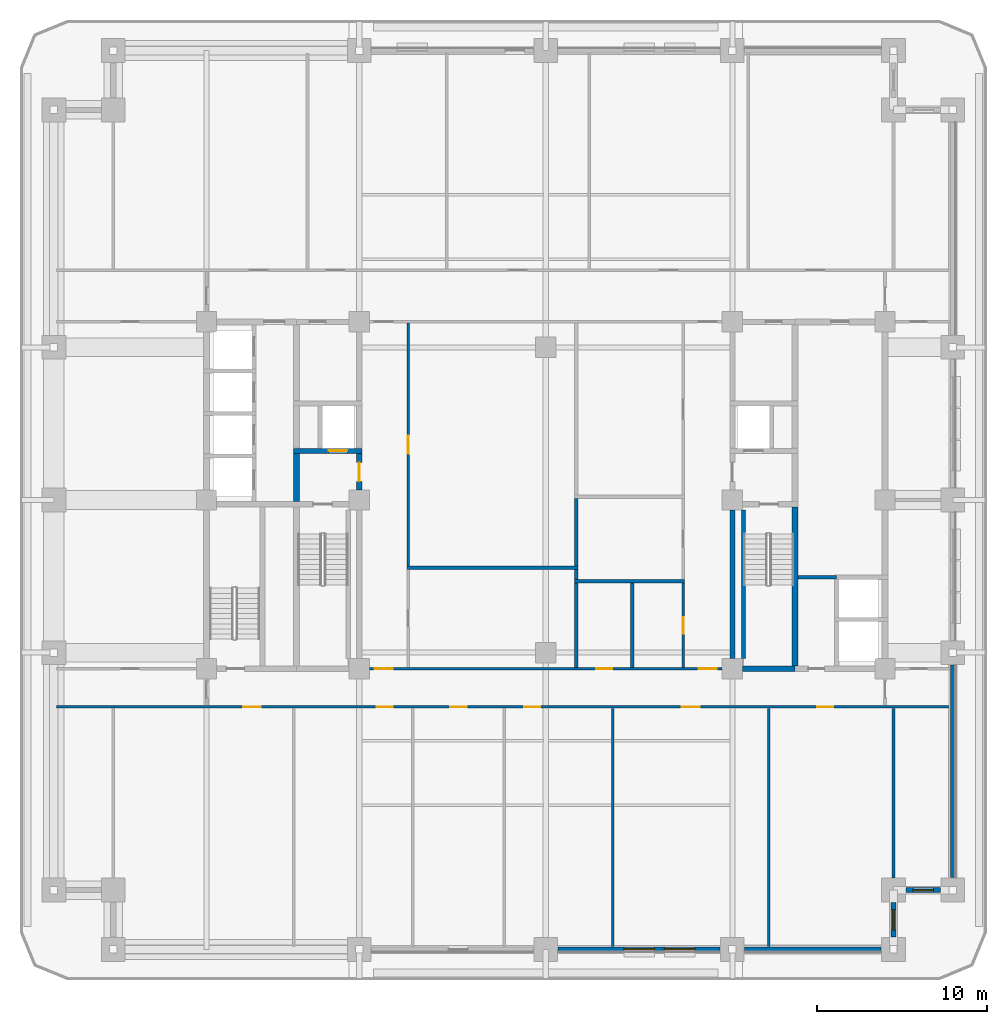
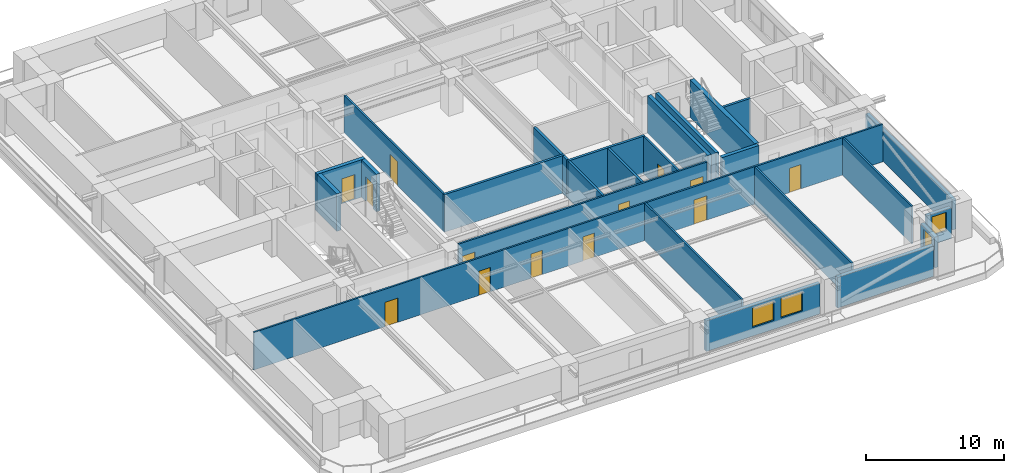
# One storey, part 3 of 14: 26 walls, 13 doors, 4 windows, 17 openings.
"""IFC4 building model written with IfcOpenShell, lengths in metres."""

from ifc_helpers import new_model, si_unit, direction, frame, frame_2d, origin, place, context, subcontext, project, spatial, rectangle, extrude, material, layer, layer_set, type_object, element, fill, save


model = new_model("IFC4")

# Units and contexts
model_context = context("Model", 3, precision=1e-05, world=origin(), true_north=direction((0.0, 1.0)))
body_context = subcontext(model_context, "Body", "Model", "MODEL_VIEW")
ifc_project = project(units=[si_unit("LENGTHUNIT", "METRE"), si_unit("AREAUNIT", "SQUARE_METRE"), si_unit("VOLUMEUNIT", "CUBIC_METRE"), si_unit("PLANEANGLEUNIT", "RADIAN"), si_unit("MASSUNIT", "GRAM", prefix="KILO")], contexts=[model_context])

# Site, building, storey
site_placement = place(None, origin())
site = spatial("IfcSite", under=ifc_project, at=site_placement, CompositionType="ELEMENT")
building_placement = place(site_placement, origin())
building = spatial("IfcBuilding", under=site, at=building_placement, Name="Zulmaris Gate Convention Tower", CompositionType="ELEMENT")
storey_placement = place(building_placement, frame((0.0, 0.0, 60.760009765625)))
storey = spatial("IfcBuildingStorey", under=building, at=storey_placement, Name="L14", CompositionType="ELEMENT", Elevation=60.760009765625)

# Walls
ifc_material_1 = material(Name="Concrete C50/60", Category="concrete")
ifc_layer_1 = layer(ifc_material_1, 0.25, Name="Concrete C50/60")
ifc_layer_set_1 = layer_set([ifc_layer_1], Name="Concrete C50/60")
wall_type_1 = type_object("IfcWallType", Name="CORE-250", PredefinedType="SOLIDWALL", material=ifc_layer_set_1)
wall_1_placement = place(storey_placement, frame((11.64990234375, -9.345947265625, 0.0), z_axis=(0.0, 0.0, 1.0), x_axis=(0.0, 1.0, 0.0)))
element("IfcWall", 1, at=wall_1_placement, inside=storey, type_object=wall_type_1, Name="WL-L14-057", PredefinedType="SOLIDWALL", context=body_context, shape_type="SweptSolid", body=[
    extrude(rectangle(XDim=8.741943359375, YDim=0.25, at=frame_2d((4.37109375, 0.0))), origin(), (0.0, 0.0, 1.0), 3.31982421875),
])
ifc_layer_2 = layer(ifc_material_1, 0.300048828125, Name="Concrete C50/60")
ifc_layer_set_2 = layer_set([ifc_layer_2], Name="Concrete C50/60")
wall_type_2 = type_object("IfcWallType", Name="CORE-300", PredefinedType="SHEAR", material=ifc_layer_set_2)
wall_2_placement = place(storey_placement, frame((11.60400390625, -9.949951171875, 0.0), z_axis=(0.0, 0.0, 1.0), x_axis=(1.0, 0.0, 0.0)))
element("IfcWall", 2, at=wall_2_placement, inside=storey, type_object=wall_type_2, Name="WL-L14-003", PredefinedType="SHEAR", context=body_context, shape_type="SweptSolid", body=[
    extrude(rectangle(XDim=3.095947265625, YDim=0.300048828125, at=frame_2d((1.5478515625, 0.0))), origin(), (0.0, 0.0, 1.0), 3.31982421875),
])

# Wall, opening, door
wall_3_placement = place(storey_placement, frame((-14.875, 2.89990234375, 0.0), z_axis=(0.0, 0.0, 1.0), x_axis=(1.0, 0.0, 0.0)))
wall_3 = element("IfcWall", 3, at=wall_3_placement, inside=storey, type_object=wall_type_2, Name="WL-L14-010", PredefinedType="SHEAR", context=body_context, shape_type="SweptSolid", body=[
    extrude(rectangle(XDim=4.02490234375, YDim=0.300048828125, at=frame_2d((2.012451171875, 0.0))), origin(), (0.0, 0.0, 1.0), 3.31982421875),
])
opening_1_placement = place(wall_3_placement, frame((2.074951171875, 0.0, 0.0)))
opening_1 = element("IfcOpeningElement", 4, at=opening_1_placement, cuts=wall_3, Name="Opening D-06", PredefinedType="OPENING", context=body_context, shape_type="SweptSolid", body=[
    extrude(rectangle(XDim=1.10009765625, YDim=2.199951171875, at=frame_2d((0.550048828125, 1.10009765625))), frame((0.0, 0.16015625, 0.0), z_axis=(0.0, -1.0, 0.0), x_axis=(1.0, 0.0, 0.0)), (0.0, 0.0, 1.0), 0.320068359375),
])
ifc_material_2 = material(Name="Brushed Stainless Steel", Category="steel")
door_type_1 = type_object("IfcDoorType", Name="LD-1100", OperationType="NOTDEFINED", PredefinedType="DOOR", material=ifc_material_2)
door_1_placement = place(opening_1_placement, origin())
door_1 = element("IfcDoor", 5, at=door_1_placement, inside=storey, type_object=door_type_1, Name="L14 Lift Landing Door LF-01 03", OperationType="SLIDING_TO_LEFT", OverallHeight=2.199951171875, OverallWidth=1.10009765625, PredefinedType="DOOR", context=body_context, shape_type="SweptSolid", body=[
    extrude(rectangle(XDim=1.10009765625, YDim=2.199951171875, at=frame_2d((0.550048828125, 1.10009765625))), frame((0.0, 0.02490234375, 0.0), z_axis=(0.0, -1.0, 0.0), x_axis=(1.0, 0.0, 0.0)), (0.0, 0.0, 1.0), 0.050048828125),
])
fill(opening_1, door_1)

wall_4_placement = place(storey_placement, frame((-11.0, 0.60400390625, 0.0), z_axis=(0.0, 0.0, 1.0), x_axis=(0.0, 1.0, 0.0)))
wall_4 = element("IfcWall", 6, at=wall_4_placement, inside=storey, type_object=wall_type_2, Name="WL-L14-050", PredefinedType="SHEAR", context=body_context, shape_type="SweptSolid", body=[
    extrude(rectangle(XDim=2.14404296875, YDim=0.300048828125, at=frame_2d((1.072021484375, 0.0))), origin(), (0.0, 0.0, 1.0), 3.31982421875),
])
opening_2_placement = place(wall_4_placement, frame((0.49609375, 0.0, 0.0)))
opening_2 = element("IfcOpeningElement", 7, at=opening_2_placement, cuts=wall_4, Name="Opening D-08", PredefinedType="OPENING", context=body_context, shape_type="SweptSolid", body=[
    extrude(rectangle(XDim=1.10009765625, YDim=2.14990234375, at=frame_2d((0.550048828125, 1.074951171875))), frame((0.0, 0.16015625, 0.0), z_axis=(0.0, -1.0, 0.0), x_axis=(1.0, 0.0, 0.0)), (0.0, 0.0, 1.0), 0.320068359375),
])
ifc_material_3 = material(Name="Fire-Rated Steel", Category="steel")
door_type_2 = type_object("IfcDoorType", Name="DR-1100-FD", OperationType="NOTDEFINED", PredefinedType="DOOR", material=ifc_material_3)
door_2_placement = place(opening_2_placement, origin())
door_2 = element("IfcDoor", 8, at=door_2_placement, inside=storey, type_object=door_type_2, Name="L14 West Firefighting Lobby Door 02", OperationType="SINGLE_SWING_LEFT", OverallHeight=2.14990234375, OverallWidth=1.10009765625, PredefinedType="DOOR", context=body_context, shape_type="SweptSolid", body=[
    extrude(rectangle(XDim=1.10009765625, YDim=2.14990234375, at=frame_2d((0.550048828125, 1.074951171875))), frame((0.0, 0.02490234375, 0.0), z_axis=(0.0, -1.0, 0.0), x_axis=(1.0, 0.0, 0.0)), (0.0, 0.0, 1.0), 0.050048828125),
])
fill(opening_2, door_2)

# Walls
wall_5_placement = place(storey_placement, frame((11.0, -9.345947265625, 0.0), z_axis=(0.0, 0.0, 1.0), x_axis=(0.0, 1.0, 0.0)))
element("IfcWall", 9, at=wall_5_placement, inside=storey, type_object=wall_type_2, Name="WL-L14-053", PredefinedType="SHEAR", context=body_context, shape_type="SweptSolid", body=[
    extrude(rectangle(XDim=8.741943359375, YDim=0.300048828125, at=frame_2d((4.37109375, 0.0))), origin(), (0.0, 0.0, 1.0), 3.31982421875),
])
ifc_material_4 = material(Name="Concrete C55/67", Category="concrete")
ifc_layer_3 = layer(ifc_material_4, 0.35009765625, Name="Concrete C55/67")
ifc_layer_set_3 = layer_set([ifc_layer_3], Name="Concrete C55/67")
wall_type_3 = type_object("IfcWallType", Name="CORE-350", PredefinedType="SHEAR", material=ifc_layer_set_3)
wall_6_placement = place(storey_placement, frame((-14.699951171875, -0.097900390625, 0.0), z_axis=(0.0, 0.0, 1.0), x_axis=(0.0, 1.0, 0.0)))
element("IfcWall", 10, at=wall_6_placement, inside=storey, type_object=wall_type_3, Name="WL-L14-044", PredefinedType="SHEAR", context=body_context, shape_type="SweptSolid", body=[
    extrude(rectangle(XDim=2.845947265625, YDim=0.35009765625, at=frame_2d((1.4228515625, 0.0))), origin(), (0.0, 0.0, 1.0), 3.31982421875),
])
wall_7_placement = place(storey_placement, frame((14.699951171875, -9.77294921875, 0.0), z_axis=(0.0, 0.0, 1.0), x_axis=(0.0, 1.0, 0.0)))
element("IfcWall", 11, at=wall_7_placement, inside=storey, type_object=wall_type_3, Name="WL-L14-059", PredefinedType="SHEAR", context=body_context, shape_type="SweptSolid", body=[
    extrude(rectangle(XDim=9.370849609375, YDim=0.35009765625, at=frame_2d((4.685546875, 0.0))), origin(), (0.0, 0.0, 1.0), 3.31982421875),
])

# Wall, openings, doors
ifc_material_5 = material(Name="Gypsum Metal Stud Partition")
ifc_layer_4 = layer(ifc_material_5, 0.14990234375, Name="Gypsum Metal Stud Partition")
ifc_layer_set_4 = layer_set([ifc_layer_4], Name="Gypsum Metal Stud Partition")
wall_type_4 = type_object("IfcWallType", Name="PART-150", PredefinedType="PARTITIONING", material=ifc_layer_set_4)
wall_8_placement = place(storey_placement, frame((-28.8349609375, -12.199951171875, 0.0), z_axis=(0.0, 0.0, 1.0), x_axis=(1.0, 0.0, 0.0)))
wall_8 = element("IfcWall", 12, at=wall_8_placement, inside=storey, type_object=wall_type_4, Name="WL-L14-020", PredefinedType="PARTITIONING", context=body_context, shape_type="SweptSolid", body=[
    extrude(rectangle(XDim=52.669921875, YDim=0.14990234375, at=frame_2d((26.3349609375, 0.0))), origin(), (0.0, 0.0, 1.0), 3.31982421875),
])
opening_3_placement = place(wall_8_placement, frame((10.989990234375, 0.0, 0.0)))
opening_3 = element("IfcOpeningElement", 13, at=opening_3_placement, cuts=wall_8, Name="Opening D-09", PredefinedType="OPENING", context=body_context, shape_type="SweptSolid", body=[
    extrude(rectangle(XDim=1.050048828125, YDim=2.14990234375, at=frame_2d((0.52490234375, 1.074951171875))), frame((0.0, 0.0849609375, 0.0), z_axis=(0.0, -1.0, 0.0), x_axis=(1.0, 0.0, 0.0)), (0.0, 0.0, 1.0), 0.169921875),
])
opening_4_placement = place(wall_8_placement, frame((18.860107421875, 0.0, 0.0)))
opening_4 = element("IfcOpeningElement", 14, at=opening_4_placement, cuts=wall_8, Name="Opening D-11", PredefinedType="OPENING", context=body_context, shape_type="SweptSolid", body=[
    extrude(rectangle(XDim=0.949951171875, YDim=2.14990234375, at=frame_2d((0.47509765625, 1.074951171875))), frame((0.0, 0.0849609375, 0.0), z_axis=(0.0, -1.0, 0.0), x_axis=(1.0, 0.0, 0.0)), (0.0, 0.0, 1.0), 0.169921875),
])
opening_5_placement = place(wall_8_placement, frame((23.2099609375, 0.0, 0.0)))
opening_5 = element("IfcOpeningElement", 15, at=opening_5_placement, cuts=wall_8, Name="Opening D-11", PredefinedType="OPENING", context=body_context, shape_type="SweptSolid", body=[
    extrude(rectangle(XDim=0.949951171875, YDim=2.14990234375, at=frame_2d((0.47509765625, 1.074951171875))), frame((0.0, 0.0849609375, 0.0), z_axis=(0.0, -1.0, 0.0), x_axis=(1.0, 0.0, 0.0)), (0.0, 0.0, 1.0), 0.169921875),
])
opening_6_placement = place(wall_8_placement, frame((27.56005859375, 0.0, 0.0)))
opening_6 = element("IfcOpeningElement", 16, at=opening_6_placement, cuts=wall_8, Name="Opening D-11", PredefinedType="OPENING", context=body_context, shape_type="SweptSolid", body=[
    extrude(rectangle(XDim=0.949951171875, YDim=2.14990234375, at=frame_2d((0.47509765625, 1.074951171875))), frame((0.0, 0.0849609375, 0.0), z_axis=(0.0, -1.0, 0.0), x_axis=(1.0, 0.0, 0.0)), (0.0, 0.0, 1.0), 0.169921875),
])
opening_7_placement = place(wall_8_placement, frame((36.860107421875, 0.0, 0.0)))
opening_7 = element("IfcOpeningElement", 17, at=opening_7_placement, cuts=wall_8, Name="Opening D-09", PredefinedType="OPENING", context=body_context, shape_type="SweptSolid", body=[
    extrude(rectangle(XDim=1.050048828125, YDim=2.14990234375, at=frame_2d((0.52490234375, 1.074951171875))), frame((0.0, 0.0849609375, 0.0), z_axis=(0.0, -1.0, 0.0), x_axis=(1.0, 0.0, 0.0)), (0.0, 0.0, 1.0), 0.169921875),
])
opening_8_placement = place(wall_8_placement, frame((44.840087890625, 0.0, 0.0)))
opening_8 = element("IfcOpeningElement", 18, at=opening_8_placement, cuts=wall_8, Name="Opening D-11", PredefinedType="OPENING", context=body_context, shape_type="SweptSolid", body=[
    extrude(rectangle(XDim=0.949951171875, YDim=2.14990234375, at=frame_2d((0.47509765625, 1.074951171875))), frame((0.0, 0.0849609375, 0.0), z_axis=(0.0, -1.0, 0.0), x_axis=(1.0, 0.0, 0.0)), (0.0, 0.0, 1.0), 0.169921875),
])
door_type_3 = type_object("IfcDoorType", Name="DR-1050-FD", OperationType="NOTDEFINED", PredefinedType="DOOR", material=ifc_material_3)
door_3_placement = place(opening_3_placement, origin())
door_3 = element("IfcDoor", 19, at=door_3_placement, inside=storey, type_object=door_type_3, Name="L14 Research Reading Room Door 26", OperationType="SINGLE_SWING_LEFT", OverallHeight=2.14990234375, OverallWidth=1.050048828125, PredefinedType="DOOR", context=body_context, shape_type="SweptSolid", body=[
    extrude(rectangle(XDim=1.050048828125, YDim=2.14990234375, at=frame_2d((0.52490234375, 1.074951171875))), frame((0.0, 0.02490234375, 0.0), z_axis=(0.0, -1.0, 0.0), x_axis=(1.0, 0.0, 0.0)), (0.0, 0.0, 1.0), 0.050048828125),
])
fill(opening_3, door_3)
door_4_placement = place(opening_7_placement, origin())
door_4 = element("IfcDoor", 20, at=door_4_placement, inside=storey, type_object=door_type_3, Name="L14 Research Reading Room Door 30", OperationType="SINGLE_SWING_LEFT", OverallHeight=2.14990234375, OverallWidth=1.050048828125, PredefinedType="DOOR", context=body_context, shape_type="SweptSolid", body=[
    extrude(rectangle(XDim=1.050048828125, YDim=2.14990234375, at=frame_2d((0.52490234375, 1.074951171875))), frame((0.0, 0.02490234375, 0.0), z_axis=(0.0, -1.0, 0.0), x_axis=(1.0, 0.0, 0.0)), (0.0, 0.0, 1.0), 0.050048828125),
])
fill(opening_7, door_4)
ifc_material_6 = material(Name="Fire-Rated Timber", Category="wood")
door_type_4 = type_object("IfcDoorType", Name="DR-950-FD", OperationType="NOTDEFINED", PredefinedType="DOOR", material=ifc_material_6)
door_5_placement = place(opening_4_placement, origin())
door_5 = element("IfcDoor", 21, at=door_5_placement, inside=storey, type_object=door_type_4, Name="L14 Quiet Focus Study Door 27", OperationType="SINGLE_SWING_RIGHT", OverallHeight=2.14990234375, OverallWidth=0.949951171875, PredefinedType="DOOR", context=body_context, shape_type="SweptSolid", body=[
    extrude(rectangle(XDim=0.949951171875, YDim=2.14990234375, at=frame_2d((0.47509765625, 1.074951171875))), frame((0.0, 0.02490234375, 0.0), z_axis=(0.0, -1.0, 0.0), x_axis=(1.0, 0.0, 0.0)), (0.0, 0.0, 1.0), 0.050048828125),
])
fill(opening_4, door_5)
door_6_placement = place(opening_5_placement, origin())
door_6 = element("IfcDoor", 22, at=door_6_placement, inside=storey, type_object=door_type_4, Name="L14 Legal Library Room Door 28", OperationType="SINGLE_SWING_LEFT", OverallHeight=2.14990234375, OverallWidth=0.949951171875, PredefinedType="DOOR", context=body_context, shape_type="SweptSolid", body=[
    extrude(rectangle(XDim=0.949951171875, YDim=2.14990234375, at=frame_2d((0.47509765625, 1.074951171875))), frame((0.0, 0.02490234375, 0.0), z_axis=(0.0, -1.0, 0.0), x_axis=(1.0, 0.0, 0.0)), (0.0, 0.0, 1.0), 0.050048828125),
])
fill(opening_5, door_6)
door_7_placement = place(opening_6_placement, origin())
door_7 = element("IfcDoor", 23, at=door_7_placement, inside=storey, type_object=door_type_4, Name="L14 Editorial Focus Suite Door 29", OperationType="SINGLE_SWING_RIGHT", OverallHeight=2.14990234375, OverallWidth=0.949951171875, PredefinedType="DOOR", context=body_context, shape_type="SweptSolid", body=[
    extrude(rectangle(XDim=0.949951171875, YDim=2.14990234375, at=frame_2d((0.47509765625, 1.074951171875))), frame((0.0, 0.02490234375, 0.0), z_axis=(0.0, -1.0, 0.0), x_axis=(1.0, 0.0, 0.0)), (0.0, 0.0, 1.0), 0.050048828125),
])
fill(opening_6, door_7)
door_8_placement = place(opening_8_placement, origin())
door_8 = element("IfcDoor", 24, at=door_8_placement, inside=storey, type_object=door_type_4, Name="L14 Quiet Focus Study Door 31", OperationType="SINGLE_SWING_RIGHT", OverallHeight=2.14990234375, OverallWidth=0.949951171875, PredefinedType="DOOR", context=body_context, shape_type="SweptSolid", body=[
    extrude(rectangle(XDim=0.949951171875, YDim=2.14990234375, at=frame_2d((0.47509765625, 1.074951171875))), frame((0.0, 0.02490234375, 0.0), z_axis=(0.0, -1.0, 0.0), x_axis=(1.0, 0.0, 0.0)), (0.0, 0.0, 1.0), 0.050048828125),
])
fill(opening_8, door_8)

wall_9_placement = place(storey_placement, frame((-10.39404296875, -9.949951171875, 0.0), z_axis=(0.0, 0.0, 1.0), x_axis=(1.0, 0.0, 0.0)))
wall_9 = element("IfcWall", 25, at=wall_9_placement, inside=storey, type_object=wall_type_4, Name="WL-L14-022", PredefinedType="PARTITIONING", context=body_context, shape_type="SweptSolid", body=[
    extrude(rectangle(XDim=20.7880859375, YDim=0.14990234375, at=frame_2d((10.39404296875, 0.0))), origin(), (0.0, 0.0, 1.0), 3.31982421875),
])
opening_9_placement = place(wall_9_placement, frame((0.319091796875, 0.0, 0.0)))
opening_9 = element("IfcOpeningElement", 26, at=opening_9_placement, cuts=wall_9, Name="Opening D-09", PredefinedType="OPENING", context=body_context, shape_type="SweptSolid", body=[
    extrude(rectangle(XDim=1.050048828125, YDim=2.14990234375, at=frame_2d((0.52490234375, 1.074951171875))), frame((0.0, 0.0849609375, 0.0), z_axis=(0.0, -1.0, 0.0), x_axis=(1.0, 0.0, 0.0)), (0.0, 0.0, 1.0), 0.169921875),
])
opening_10_placement = place(wall_9_placement, frame((19.4189453125, 0.0, 0.0)))
opening_10 = element("IfcOpeningElement", 27, at=opening_10_placement, cuts=wall_9, Name="Opening D-09", PredefinedType="OPENING", context=body_context, shape_type="SweptSolid", body=[
    extrude(rectangle(XDim=1.050048828125, YDim=2.14990234375, at=frame_2d((0.52490234375, 1.074951171875))), frame((0.0, 0.0849609375, 0.0), z_axis=(0.0, -1.0, 0.0), x_axis=(1.0, 0.0, 0.0)), (0.0, 0.0, 1.0), 0.169921875),
])
opening_11_placement = place(wall_9_placement, frame((13.368896484375, 0.0, 0.0)))
opening_11 = element("IfcOpeningElement", 28, at=opening_11_placement, cuts=wall_9, Name="Opening D-11", PredefinedType="OPENING", context=body_context, shape_type="SweptSolid", body=[
    extrude(rectangle(XDim=0.949951171875, YDim=2.14990234375, at=frame_2d((0.47509765625, 1.074951171875))), frame((0.0, 0.0849609375, 0.0), z_axis=(0.0, -1.0, 0.0), x_axis=(1.0, 0.0, 0.0)), (0.0, 0.0, 1.0), 0.169921875),
])
door_9_placement = place(opening_9_placement, origin())
door_9 = element("IfcDoor", 29, at=door_9_placement, inside=storey, type_object=door_type_3, Name="L14 SW Spine Link Door 18", OperationType="SINGLE_SWING_LEFT", OverallHeight=2.14990234375, OverallWidth=1.050048828125, PredefinedType="DOOR", context=body_context, shape_type="SweptSolid", body=[
    extrude(rectangle(XDim=1.050048828125, YDim=2.14990234375, at=frame_2d((0.52490234375, 1.074951171875))), frame((0.0, 0.02490234375, 0.0), z_axis=(0.0, -1.0, 0.0), x_axis=(1.0, 0.0, 0.0)), (0.0, 0.0, 1.0), 0.050048828125),
])
fill(opening_9, door_9)
door_10_placement = place(opening_10_placement, origin())
door_10 = element("IfcDoor", 30, at=door_10_placement, inside=storey, type_object=door_type_3, Name="L14 SE Spine Link Door 20", OperationType="SINGLE_SWING_LEFT", OverallHeight=2.14990234375, OverallWidth=1.050048828125, PredefinedType="DOOR", context=body_context, shape_type="SweptSolid", body=[
    extrude(rectangle(XDim=1.050048828125, YDim=2.14990234375, at=frame_2d((0.52490234375, 1.074951171875))), frame((0.0, 0.02490234375, 0.0), z_axis=(0.0, -1.0, 0.0), x_axis=(1.0, 0.0, 0.0)), (0.0, 0.0, 1.0), 0.050048828125),
])
fill(opening_10, door_10)
door_11_placement = place(opening_11_placement, origin())
door_11 = element("IfcDoor", 31, at=door_11_placement, inside=storey, type_object=door_type_4, Name="L14 Print Room Door 37", OperationType="SINGLE_SWING_RIGHT", OverallHeight=2.14990234375, OverallWidth=0.949951171875, PredefinedType="DOOR", context=body_context, shape_type="SweptSolid", body=[
    extrude(rectangle(XDim=0.949951171875, YDim=2.14990234375, at=frame_2d((0.47509765625, 1.074951171875))), frame((0.0, 0.02490234375, 0.0), z_axis=(0.0, -1.0, 0.0), x_axis=(1.0, 0.0, 0.0)), (0.0, 0.0, 1.0), 0.050048828125),
])
fill(opening_11, door_11)

# Wall, opening, door
wall_10_placement = place(storey_placement, frame((-8.10009765625, -3.89697265625, 0.0), z_axis=(0.0, 0.0, 1.0), x_axis=(0.0, 1.0, 0.0)))
wall_10 = element("IfcWall", 32, at=wall_10_placement, inside=storey, type_object=wall_type_4, Name="WL-L14-075", PredefinedType="PARTITIONING", context=body_context, shape_type="SweptSolid", body=[
    extrude(rectangle(XDim=14.319091796875, YDim=0.14990234375, at=frame_2d((7.15966796875, 0.0))), origin(), (0.0, 0.0, 1.0), 3.31982421875),
])
opening_12_placement = place(wall_10_placement, frame((6.6220703125, 0.0, 0.0)))
opening_12 = element("IfcOpeningElement", 33, at=opening_12_placement, cuts=wall_10, Name="Opening D-09", PredefinedType="OPENING", context=body_context, shape_type="SweptSolid", body=[
    extrude(rectangle(XDim=1.050048828125, YDim=2.14990234375, at=frame_2d((0.52490234375, 1.074951171875))), frame((0.0, 0.0849609375, 0.0), z_axis=(0.0, -1.0, 0.0), x_axis=(1.0, 0.0, 0.0)), (0.0, 0.0, 1.0), 0.169921875),
])
door_12_placement = place(opening_12_placement, origin())
door_12 = element("IfcDoor", 34, at=door_12_placement, inside=storey, type_object=door_type_3, Name="L14 Boardroom Door 32", OperationType="SINGLE_SWING_LEFT", OverallHeight=2.14990234375, OverallWidth=1.050048828125, PredefinedType="DOOR", context=body_context, shape_type="SweptSolid", body=[
    extrude(rectangle(XDim=1.050048828125, YDim=2.14990234375, at=frame_2d((0.52490234375, 1.074951171875))), frame((0.0, 0.02490234375, 0.0), z_axis=(0.0, -1.0, 0.0), x_axis=(1.0, 0.0, 0.0)), (0.0, 0.0, 1.0), 0.050048828125),
])
fill(opening_12, door_12)

# Wall
wall_11_placement = place(storey_placement, frame((3.949951171875, -26.3349609375, 0.0), z_axis=(0.0, 0.0, 1.0), x_axis=(0.0, 1.0, 0.0)))
element("IfcWall", 35, at=wall_11_placement, inside=storey, type_object=wall_type_4, Name="WL-L14-084", PredefinedType="PARTITIONING", context=body_context, shape_type="SweptSolid", body=[
    extrude(rectangle(XDim=14.056884765625, YDim=0.14990234375, at=frame_2d((7.0283203125, 0.0))), origin(), (0.0, 0.0, 1.0), 3.31982421875),
])

# Wall, opening, door
wall_12_placement = place(storey_placement, frame((8.10009765625, -9.8720703125, 0.0), z_axis=(0.0, 0.0, 1.0), x_axis=(0.0, 1.0, 0.0)))
wall_12 = element("IfcWall", 36, at=wall_12_placement, inside=storey, type_object=wall_type_4, Name="WL-L14-086", PredefinedType="PARTITIONING", context=body_context, shape_type="SweptSolid", body=[
    extrude(rectangle(XDim=4.968994140625, YDim=0.14990234375, at=frame_2d((2.484375, 0.0))), origin(), (0.0, 0.0, 1.0), 3.31982421875),
])
opening_13_placement = place(wall_12_placement, frame((1.9970703125, 0.0, 0.0)))
opening_13 = element("IfcOpeningElement", 37, at=opening_13_placement, cuts=wall_12, Name="Opening D-11", PredefinedType="OPENING", context=body_context, shape_type="SweptSolid", body=[
    extrude(rectangle(XDim=0.949951171875, YDim=2.14990234375, at=frame_2d((0.47509765625, 1.074951171875))), frame((0.0, 0.0849609375, 0.0), z_axis=(0.0, -1.0, 0.0), x_axis=(1.0, 0.0, 0.0)), (0.0, 0.0, 1.0), 0.169921875),
])
door_13_placement = place(opening_13_placement, origin())
door_13 = element("IfcDoor", 38, at=door_13_placement, inside=storey, type_object=door_type_4, Name="L14 Accessible WC Door 36", OperationType="SINGLE_SWING_LEFT", OverallHeight=2.14990234375, OverallWidth=0.949951171875, PredefinedType="DOOR", context=body_context, shape_type="SweptSolid", body=[
    extrude(rectangle(XDim=0.949951171875, YDim=2.14990234375, at=frame_2d((0.47509765625, 1.074951171875))), frame((0.0, 0.02490234375, 0.0), z_axis=(0.0, -1.0, 0.0), x_axis=(1.0, 0.0, 0.0)), (0.0, 0.0, 1.0), 0.050048828125),
])
fill(opening_13, door_13)

# Walls
wall_13_placement = place(storey_placement, frame((13.14990234375, -26.3349609375, 0.0), z_axis=(0.0, 0.0, 1.0), x_axis=(0.0, 1.0, 0.0)))
element("IfcWall", 39, at=wall_13_placement, inside=storey, type_object=wall_type_4, Name="WL-L14-090", PredefinedType="PARTITIONING", context=body_context, shape_type="SweptSolid", body=[
    extrude(rectangle(XDim=14.056884765625, YDim=0.14990234375, at=frame_2d((7.0283203125, 0.0))), origin(), (0.0, 0.0, 1.0), 3.31982421875),
])
wall_14_placement = place(storey_placement, frame((20.5, -22.2939453125, 0.0), z_axis=(0.0, 0.0, 1.0), x_axis=(0.0, 1.0, 0.0)))
element("IfcWall", 40, at=wall_14_placement, inside=storey, type_object=wall_type_4, Name="WL-L14-093", PredefinedType="PARTITIONING", context=body_context, shape_type="SweptSolid", body=[
    extrude(rectangle(XDim=10.015869140625, YDim=0.14990234375, at=frame_2d((5.0078125, 0.0))), origin(), (0.0, 0.0, 1.0), 3.31982421875),
])
ifc_material_7 = material(Name="Autoclaved Aerated Concrete Block and Plasterboard", Category="concrete")
ifc_layer_5 = layer(ifc_material_7, 0.199951171875, Name="Autoclaved Aerated Concrete Block and Plasterboard")
ifc_layer_set_5 = layer_set([ifc_layer_5], Name="Autoclaved Aerated Concrete Block and Plasterboard")
wall_type_5 = type_object("IfcWallType", Name="PART-200", PredefinedType="PARTITIONING", material=ifc_layer_set_5)
wall_15_placement = place(storey_placement, frame((1.699951171875, -4.800048828125, 0.0), z_axis=(0.0, 0.0, 1.0), x_axis=(1.0, 0.0, 0.0)))
element("IfcWall", 41, at=wall_15_placement, inside=storey, type_object=wall_type_5, Name="WL-L14-024", PredefinedType="PARTITIONING", context=body_context, shape_type="SweptSolid", body=[
    extrude(rectangle(XDim=6.47509765625, YDim=0.199951171875, at=frame_2d((3.237548828125, 0.0))), origin(), (0.0, 0.0, 1.0), 3.31982421875),
])
wall_16_placement = place(storey_placement, frame((14.8779296875, -4.550048828125, 0.0), z_axis=(0.0, 0.0, 1.0), x_axis=(1.0, 0.0, 0.0)))
element("IfcWall", 42, at=wall_16_placement, inside=storey, type_object=wall_type_5, Name="WL-L14-025", PredefinedType="PARTITIONING", context=body_context, shape_type="SweptSolid", body=[
    extrude(rectangle(XDim=2.27197265625, YDim=0.199951171875, at=frame_2d((1.135986328125, 0.0))), origin(), (0.0, 0.0, 1.0), 3.31982421875),
])
wall_17_placement = place(storey_placement, frame((-8.175048828125, -4.0, 0.0), z_axis=(0.0, 0.0, 1.0), x_axis=(1.0, 0.0, 0.0)))
element("IfcWall", 43, at=wall_17_placement, inside=storey, type_object=wall_type_5, Name="WL-L14-026", PredefinedType="PARTITIONING", context=body_context, shape_type="SweptSolid", body=[
    extrude(rectangle(XDim=10.074951171875, YDim=0.199951171875, at=frame_2d((5.03759765625, 0.0))), origin(), (0.0, 0.0, 1.0), 3.31982421875),
])
wall_18_placement = place(storey_placement, frame((1.800048828125, -9.8720703125, 0.0), z_axis=(0.0, 0.0, 1.0), x_axis=(0.0, 1.0, 0.0)))
element("IfcWall", 44, at=wall_18_placement, inside=storey, type_object=wall_type_5, Name="WL-L14-079", PredefinedType="PARTITIONING", context=body_context, shape_type="SweptSolid", body=[
    extrude(rectangle(XDim=4.968994140625, YDim=0.199951171875, at=frame_2d((2.484375, 0.0))), origin(), (0.0, 0.0, 1.0), 3.31982421875),
])
wall_19_placement = place(storey_placement, frame((1.800048828125, -4.697021484375, 0.0), z_axis=(0.0, 0.0, 1.0), x_axis=(0.0, 1.0, 0.0)))
element("IfcWall", 45, at=wall_19_placement, inside=storey, type_object=wall_type_5, Name="WL-L14-080", PredefinedType="PARTITIONING", context=body_context, shape_type="SweptSolid", body=[
    extrude(rectangle(XDim=0.593994140625, YDim=0.199951171875, at=frame_2d((0.296875, 0.0))), origin(), (0.0, 0.0, 1.0), 3.31982421875),
])
wall_20_placement = place(storey_placement, frame((1.800048828125, -3.89697265625, 0.0), z_axis=(0.0, 0.0, 1.0), x_axis=(0.0, 1.0, 0.0)))
element("IfcWall", 46, at=wall_20_placement, inside=storey, type_object=wall_type_5, Name="WL-L14-081", PredefinedType="PARTITIONING", context=body_context, shape_type="SweptSolid", body=[
    extrude(rectangle(XDim=3.993896484375, YDim=0.199951171875, at=frame_2d((1.9970703125, 0.0))), origin(), (0.0, 0.0, 1.0), 3.31982421875),
])
wall_21_placement = place(storey_placement, frame((5.10009765625, -9.8720703125, 0.0), z_axis=(0.0, 0.0, 1.0), x_axis=(0.0, 1.0, 0.0)))
element("IfcWall", 47, at=wall_21_placement, inside=storey, type_object=wall_type_5, Name="WL-L14-085", PredefinedType="PARTITIONING", context=body_context, shape_type="SweptSolid", body=[
    extrude(rectangle(XDim=4.968994140625, YDim=0.199951171875, at=frame_2d((2.484375, 0.0))), origin(), (0.0, 0.0, 1.0), 3.31982421875),
])

# Wall, opening, window
ifc_material_8 = material(Name="Precast concrete C40/50", Category="concrete")
ifc_layer_6 = layer(ifc_material_8, 0.300048828125, Name="Precast concrete C40/50")
ifc_layer_set_6 = layer_set([ifc_layer_6], Name="Precast concrete C40/50")
wall_type_6 = type_object("IfcWallType", Name="PRECAST-PIER-300", PredefinedType="STANDARD", material=ifc_layer_set_6)
wall_22_placement = place(storey_placement, frame((20.5, -25.77001953125, 0.0), z_axis=(0.0, 0.0, 1.0), x_axis=(0.0, 1.0, 0.0)))
wall_22 = element("IfcWall", 48, at=wall_22_placement, inside=storey, type_object=wall_type_6, Name="EW-L14-NOTCH-SE1_0", PredefinedType="STANDARD", context=body_context, shape_type="SweptSolid", body=[
    extrude(rectangle(XDim=2.0400390625, YDim=0.300048828125, at=frame_2d((1.02001953125, 0.0))), origin(), (0.0, 0.0, 1.0), 2.711669921875),
])
opening_14_placement = place(wall_22_placement, frame((0.419921875, 0.0, 0.820068359375)))
opening_14 = element("IfcOpeningElement", 49, at=opening_14_placement, cuts=wall_22, Name="Opening W-04", PredefinedType="OPENING", context=body_context, shape_type="SweptSolid", body=[
    extrude(rectangle(XDim=1.199951171875, YDim=1.64990234375, at=frame_2d((0.60009765625, 0.824951171875))), frame((0.0, 0.16015625, 0.0), z_axis=(0.0, -1.0, 0.0), x_axis=(1.0, 0.0, 0.0)), (0.0, 0.0, 1.0), 0.320068359375),
])
ifc_material_9 = material(Name="Low-E Laminated Double Glazing in Aluminium Frame", Category="aluminium")
window_type_1 = type_object("IfcWindowType", Name="WIN-1200x2100", PartitioningType="SINGLE_PANEL", PredefinedType="WINDOW", material=ifc_material_9)
window_1_placement = place(opening_14_placement, origin())
window_1 = element("IfcWindow", 50, at=window_1_placement, inside=storey, type_object=window_type_1, Name="WN-EW-L14-NOTCH-SE1_0", OverallHeight=1.64990234375, OverallWidth=1.199951171875, PartitioningType="SINGLE_PANEL", PredefinedType="WINDOW", context=body_context, shape_type="SweptSolid", body=[
    extrude(rectangle(XDim=1.199951171875, YDim=1.64990234375, at=frame_2d((0.60009765625, 0.824951171875))), frame((0.0, 0.030029296875, 0.0), z_axis=(0.0, -1.0, 0.0), x_axis=(1.0, 0.0, 0.0)), (0.0, 0.0, 1.0), 0.06005859375),
])
fill(opening_14, window_1)

wall_23_placement = place(storey_placement, frame((21.22998046875, -23.0, 0.0), z_axis=(0.0, 0.0, 1.0), x_axis=(1.0, 0.0, 0.0)))
wall_23 = element("IfcWall", 51, at=wall_23_placement, inside=storey, type_object=wall_type_6, Name="EW-L14-NOTCH-SE2_0", PredefinedType="STANDARD", context=body_context, shape_type="SweptSolid", body=[
    extrude(rectangle(XDim=2.0400390625, YDim=0.300048828125, at=frame_2d((1.02001953125, 0.0))), origin(), (0.0, 0.0, 1.0), 2.711669921875),
])
opening_15_placement = place(wall_23_placement, frame((0.419921875, 0.0, 0.820068359375)))
opening_15 = element("IfcOpeningElement", 52, at=opening_15_placement, cuts=wall_23, Name="Opening W-04", PredefinedType="OPENING", context=body_context, shape_type="SweptSolid", body=[
    extrude(rectangle(XDim=1.199951171875, YDim=1.64990234375, at=frame_2d((0.60009765625, 0.824951171875))), frame((0.0, 0.16015625, 0.0), z_axis=(0.0, -1.0, 0.0), x_axis=(1.0, 0.0, 0.0)), (0.0, 0.0, 1.0), 0.320068359375),
])
window_2_placement = place(opening_15_placement, origin())
window_2 = element("IfcWindow", 53, at=window_2_placement, inside=storey, type_object=window_type_1, Name="WN-EW-L14-NOTCH-SE2_0", OverallHeight=1.64990234375, OverallWidth=1.199951171875, PartitioningType="SINGLE_PANEL", PredefinedType="WINDOW", context=body_context, shape_type="SweptSolid", body=[
    extrude(rectangle(XDim=1.199951171875, YDim=1.64990234375, at=frame_2d((0.60009765625, 0.824951171875))), frame((0.0, 0.030029296875, 0.0), z_axis=(0.0, -1.0, 0.0), x_axis=(1.0, 0.0, 0.0)), (0.0, 0.0, 1.0), 0.06005859375),
])
fill(opening_15, window_2)

# Wall, openings, windows
wall_24_placement = place(storey_placement, frame((0.72998046875, -26.5, 0.0), z_axis=(0.0, 0.0, 1.0), x_axis=(1.0, 0.0, 0.0)))
wall_24 = element("IfcWall", 54, at=wall_24_placement, inside=storey, type_object=wall_type_6, Name="EW-L14-S-2_0", PredefinedType="STANDARD", context=body_context, shape_type="SweptSolid", body=[
    extrude(rectangle(XDim=9.5400390625, YDim=0.300048828125, at=frame_2d((4.77001953125, 0.0))), origin(), (0.0, 0.0, 1.0), 2.711669921875),
])
opening_16_placement = place(wall_24_placement, frame((3.8701171875, 0.0, 0.780029296875)))
opening_16 = element("IfcOpeningElement", 55, at=opening_16_placement, cuts=wall_24, Name="Opening W-02", PredefinedType="OPENING", context=body_context, shape_type="SweptSolid", body=[
    extrude(rectangle(XDim=1.800048828125, YDim=1.719970703125, at=frame_2d((0.89990234375, 0.85986328125))), frame((0.0, 0.16015625, 0.0), z_axis=(0.0, -1.0, 0.0), x_axis=(1.0, 0.0, 0.0)), (0.0, 0.0, 1.0), 0.320068359375),
])
opening_17_placement = place(wall_24_placement, frame((6.2548828125, 0.0, 0.780029296875)))
opening_17 = element("IfcOpeningElement", 56, at=opening_17_placement, cuts=wall_24, Name="Opening W-02", PredefinedType="OPENING", context=body_context, shape_type="SweptSolid", body=[
    extrude(rectangle(XDim=1.800048828125, YDim=1.719970703125, at=frame_2d((0.89990234375, 0.85986328125))), frame((0.0, 0.16015625, 0.0), z_axis=(0.0, -1.0, 0.0), x_axis=(1.0, 0.0, 0.0)), (0.0, 0.0, 1.0), 0.320068359375),
])
window_type_2 = type_object("IfcWindowType", Name="WIN-1800x2200", PartitioningType="SINGLE_PANEL", PredefinedType="WINDOW", material=ifc_material_9)
window_3_placement = place(opening_16_placement, origin())
window_3 = element("IfcWindow", 57, at=window_3_placement, inside=storey, type_object=window_type_2, Name="WN-EW-L14-S-2_0-2", OverallHeight=1.719970703125, OverallWidth=1.800048828125, PartitioningType="SINGLE_PANEL", PredefinedType="WINDOW", context=body_context, shape_type="SweptSolid", body=[
    extrude(rectangle(XDim=1.800048828125, YDim=1.719970703125, at=frame_2d((0.89990234375, 0.85986328125))), frame((0.0, 0.030029296875, 0.0), z_axis=(0.0, -1.0, 0.0), x_axis=(1.0, 0.0, 0.0)), (0.0, 0.0, 1.0), 0.06005859375),
])
fill(opening_16, window_3)
window_4_placement = place(opening_17_placement, origin())
window_4 = element("IfcWindow", 58, at=window_4_placement, inside=storey, type_object=window_type_2, Name="WN-EW-L14-S-2_0-3", OverallHeight=1.719970703125, OverallWidth=1.800048828125, PartitioningType="SINGLE_PANEL", PredefinedType="WINDOW", context=body_context, shape_type="SweptSolid", body=[
    extrude(rectangle(XDim=1.800048828125, YDim=1.719970703125, at=frame_2d((0.89990234375, 0.85986328125))), frame((0.0, 0.030029296875, 0.0), z_axis=(0.0, -1.0, 0.0), x_axis=(1.0, 0.0, 0.0)), (0.0, 0.0, 1.0), 0.06005859375),
])
fill(opening_17, window_4)

# Walls
wall_25_placement = place(storey_placement, frame((11.72998046875, -26.5, 0.0), z_axis=(0.0, 0.0, 1.0), x_axis=(1.0, 0.0, 0.0)))
element("IfcWall", 59, at=wall_25_placement, inside=storey, type_object=wall_type_6, Name="EW-L14-S-3_0", PredefinedType="STANDARD", context=body_context, shape_type="SweptSolid", body=[
    extrude(rectangle(XDim=8.0400390625, YDim=0.300048828125, at=frame_2d((4.02001953125, 0.0))), origin(), (0.0, 0.0, 1.0), 2.711669921875),
])
wall_26_placement = place(storey_placement, frame((24.0, -22.27001953125, 0.0), z_axis=(0.0, 0.0, 1.0), x_axis=(0.0, 1.0, 0.0)))
element("IfcWall", 60, at=wall_26_placement, inside=storey, type_object=wall_type_6, Name="EW-L14-E-0_0", PredefinedType="STANDARD", context=body_context, shape_type="SweptSolid", body=[
    extrude(rectangle(XDim=12.5400390625, YDim=0.300048828125, at=frame_2d((6.27001953125, 0.0))), origin(), (0.0, 0.0, 1.0), 2.711669921875),
])

save(model, "model.ifc")
